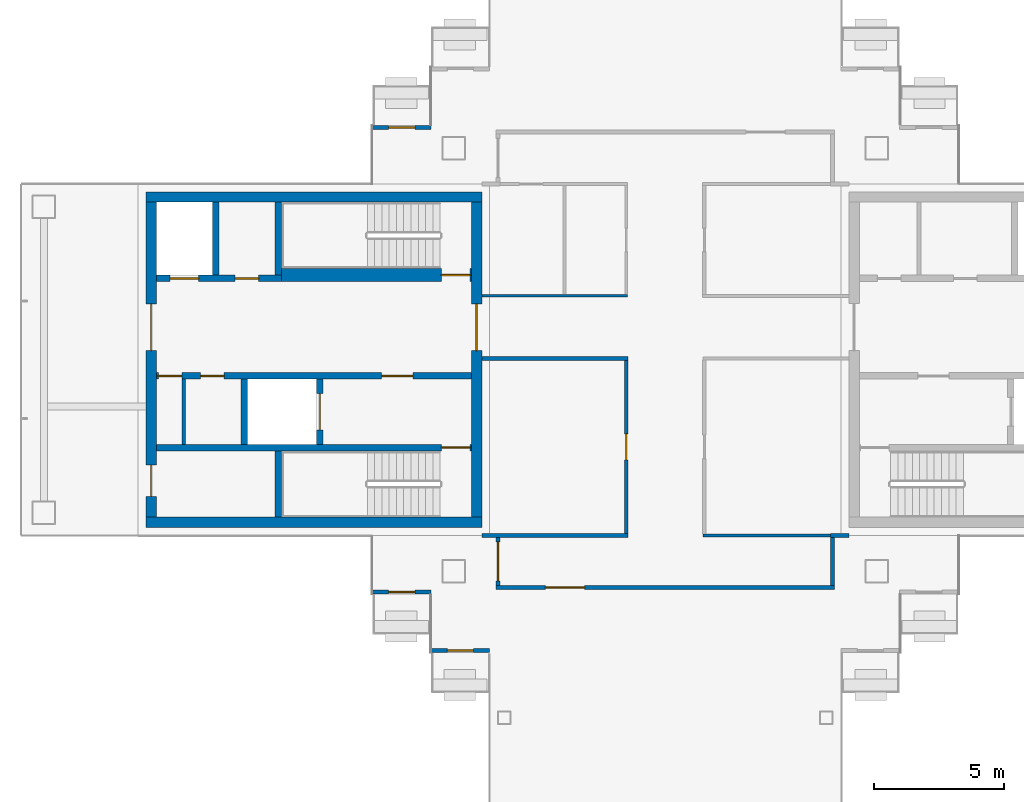
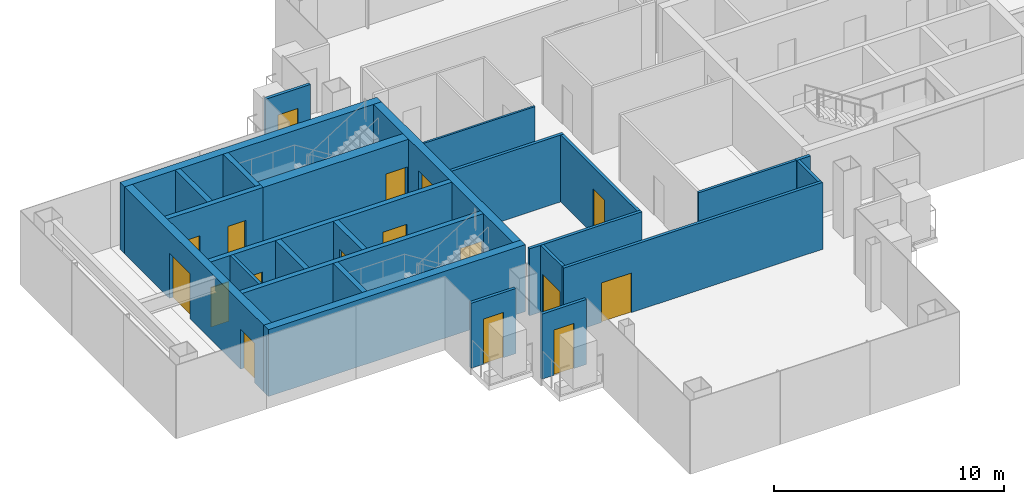
# One storey, part 9 of 17: 26 walls, 17 doors, 17 openings.
"""IFC4 building model written with IfcOpenShell, lengths in metres."""

from ifc_helpers import new_model, si_unit, direction, frame, frame_2d, origin, place, context, subcontext, project, spatial, rectangle, extrude, material, layer, layer_set, type_object, element, fill, save


model = new_model("IFC4")

# Units and contexts
model_context = context("Model", 3, precision=1e-05, world=origin(), true_north=direction((0.0, 1.0)))
body_context = subcontext(model_context, "Body", "Model", "MODEL_VIEW")
ifc_project = project(units=[si_unit("LENGTHUNIT", "METRE"), si_unit("AREAUNIT", "SQUARE_METRE"), si_unit("VOLUMEUNIT", "CUBIC_METRE"), si_unit("PLANEANGLEUNIT", "RADIAN"), si_unit("MASSUNIT", "GRAM", prefix="KILO")], contexts=[model_context])

# Site, building, storey
site_placement = place(None, origin())
site = spatial("IfcSite", under=ifc_project, at=site_placement, CompositionType="ELEMENT")
building_placement = place(site_placement, origin())
building = spatial("IfcBuilding", under=site, at=building_placement, Name="Shamsa Quay Exchange Towers", CompositionType="ELEMENT")
storey_placement = place(building_placement, frame((0.0, 0.0, 253.800048828125)))
storey = spatial("IfcBuildingStorey", under=building, at=storey_placement, Name="L61", CompositionType="ELEMENT", Elevation=253.800048828125)

# Wall, opening, door
ifc_material_1 = material(Name="Aluminium EN AW-6063 T6, black anodised, with black enamelled glass infill", Category="aluminium")
ifc_layer_1 = layer(ifc_material_1, 0.14990234375)
ifc_layer_set_1 = layer_set([ifc_layer_1], Name="BALCONY DOOR BAY WALL 150")
wall_type_1 = type_object("IfcWallType", Name="BALCONY DOOR BAY WALL 150", PredefinedType="SOLIDWALL", material=ifc_layer_set_1)
wall_1_placement = place(storey_placement, frame((-45.0, 8.925048828125, 0.0)))
wall_1 = element("IfcWall", 1, at=wall_1_placement, inside=storey, type_object=wall_type_1, Name="Door bay T1-PKWN L61", PredefinedType="SOLIDWALL", context=body_context, shape_type="SweptSolid", body=[
    extrude(rectangle(XDim=2.25, YDim=0.14990234375, at=frame_2d((1.125, 0.0))), origin(), (0.0, 0.0, 1.0), 3.449951171875),
])
opening_1_placement = place(wall_1_placement, frame((0.625, 0.0, 0.0)))
opening_1 = element("IfcOpeningElement", 2, at=opening_1_placement, cuts=wall_1, Name="Opening XD414", PredefinedType="OPENING", context=body_context, shape_type="SweptSolid", body=[
    extrude(rectangle(XDim=1.0, YDim=2.39990234375, at=frame_2d((0.5, 1.199951171875))), frame((0.0, 0.0849609375, 0.0), z_axis=(0.0, -1.0, 0.0), x_axis=(1.0, 0.0, 0.0)), (0.0, 0.0, 1.0), 0.169921875),
])
ifc_material_2 = material(Name="Aluminium EN AW-6063 T6, black anodised, with laminated glass leaf", Category="aluminium")
door_type_1 = type_object("IfcDoorType", Name="BALCONY DOOR 1000x2400", OperationType="SINGLE_SWING_LEFT", PredefinedType="DOOR", material=ifc_material_2)
door_1_placement = place(opening_1_placement, origin())
door_1 = element("IfcDoor", 3, at=door_1_placement, inside=storey, type_object=door_type_1, Name="Balcony door T1-PKWN L61", OperationType="SINGLE_SWING_RIGHT", OverallHeight=2.39990234375, OverallWidth=1.0, PredefinedType="DOOR", context=body_context, shape_type="SweptSolid", body=[
    extrude(rectangle(XDim=1.0, YDim=2.39990234375, at=frame_2d((0.5, 1.199951171875))), frame((0.0, 0.02490234375, 0.0), z_axis=(0.0, -1.0, 0.0), x_axis=(1.0, 0.0, 0.0)), (0.0, 0.0, 1.0), 0.050048828125),
])
fill(opening_1, door_1)

wall_2_placement = place(storey_placement, frame((-42.75, -8.925048828125, 0.0), z_axis=(0.0, 0.0, 1.0), x_axis=(-1.0, 0.0, 0.0)))
wall_2 = element("IfcWall", 4, at=wall_2_placement, inside=storey, type_object=wall_type_1, Name="Door bay T1-PKWS L61", PredefinedType="SOLIDWALL", context=body_context, shape_type="SweptSolid", body=[
    extrude(rectangle(XDim=2.25, YDim=0.14990234375, at=frame_2d((1.125, 0.0))), origin(), (0.0, 0.0, 1.0), 3.449951171875),
])
opening_2_placement = place(wall_2_placement, frame((0.625, 0.0, 0.0)))
opening_2 = element("IfcOpeningElement", 5, at=opening_2_placement, cuts=wall_2, Name="Opening XD415", PredefinedType="OPENING", context=body_context, shape_type="SweptSolid", body=[
    extrude(rectangle(XDim=1.0, YDim=2.39990234375, at=frame_2d((0.5, 1.199951171875))), frame((0.0, 0.0849609375, 0.0), z_axis=(0.0, -1.0, 0.0), x_axis=(1.0, 0.0, 0.0)), (0.0, 0.0, 1.0), 0.169921875),
])
door_2_placement = place(opening_2_placement, origin())
door_2 = element("IfcDoor", 6, at=door_2_placement, inside=storey, type_object=door_type_1, Name="Balcony door T1-PKWS L61", OperationType="SINGLE_SWING_LEFT", OverallHeight=2.39990234375, OverallWidth=1.0, PredefinedType="DOOR", context=body_context, shape_type="SweptSolid", body=[
    extrude(rectangle(XDim=1.0, YDim=2.39990234375, at=frame_2d((0.5, 1.199951171875))), frame((0.0, 0.02490234375, 0.0), z_axis=(0.0, -1.0, 0.0), x_axis=(1.0, 0.0, 0.0)), (0.0, 0.0, 1.0), 0.050048828125),
])
fill(opening_2, door_2)

wall_3_placement = place(storey_placement, frame((-40.5, -11.175048828125, 0.0), z_axis=(0.0, 0.0, 1.0), x_axis=(-1.0, 0.0, 0.0)))
wall_3 = element("IfcWall", 7, at=wall_3_placement, inside=storey, type_object=wall_type_1, Name="Door bay T1-PKWS L61", PredefinedType="SOLIDWALL", context=body_context, shape_type="SweptSolid", body=[
    extrude(rectangle(XDim=2.25, YDim=0.14990234375, at=frame_2d((1.125, 0.0))), origin(), (0.0, 0.0, 1.0), 3.449951171875),
])
opening_3_placement = place(wall_3_placement, frame((0.625, 0.0, 0.0)))
opening_3 = element("IfcOpeningElement", 8, at=opening_3_placement, cuts=wall_3, Name="Opening XD416", PredefinedType="OPENING", context=body_context, shape_type="SweptSolid", body=[
    extrude(rectangle(XDim=1.0, YDim=2.39990234375, at=frame_2d((0.5, 1.199951171875))), frame((0.0, 0.0849609375, 0.0), z_axis=(0.0, -1.0, 0.0), x_axis=(1.0, 0.0, 0.0)), (0.0, 0.0, 1.0), 0.169921875),
])
door_3_placement = place(opening_3_placement, origin())
door_3 = element("IfcDoor", 9, at=door_3_placement, inside=storey, type_object=door_type_1, Name="Balcony door T1-PKWS L61", OperationType="SINGLE_SWING_RIGHT", OverallHeight=2.39990234375, OverallWidth=1.0, PredefinedType="DOOR", context=body_context, shape_type="SweptSolid", body=[
    extrude(rectangle(XDim=1.0, YDim=2.39990234375, at=frame_2d((0.5, 1.199951171875))), frame((0.0, 0.02490234375, 0.0), z_axis=(0.0, -1.0, 0.0), x_axis=(1.0, 0.0, 0.0)), (0.0, 0.0, 1.0), 0.050048828125),
])
fill(opening_3, door_3)

# Walls
ifc_material_3 = material(Name="Concrete C60/75", Category="concrete")
ifc_layer_2 = layer(ifc_material_3, 0.39990234375)
ifc_layer_set_2 = layer_set([ifc_layer_2], Name="CORE WALL 400 C60/75")
wall_type_2 = type_object("IfcWallType", Name="CORE WALL 400 C60/75", PredefinedType="SHEAR", material=ifc_layer_set_2)
for number, where, z_axis, x_axis, name in (
    (10, (-40.800048828125, -6.25, 0.0), (0.0, 0.0, 1.0), (-1.0, 0.0, 0.0), "Core wall T1B-R27-PS"),
    (11, (-40.800048828125, 6.25, 0.0), (0.0, 0.0, 1.0), (-1.0, 0.0, 0.0), "Core wall T1B-R27-PN"),
):
    element("IfcWall", number, at=place(storey_placement, frame(where, z_axis=z_axis, x_axis=x_axis)), inside=storey, type_object=wall_type_2, Name=name, PredefinedType="SHEAR", context=body_context, shape_type="SweptSolid", body=[
        extrude(rectangle(XDim=12.89990234375, YDim=0.39990234375, at=frame_2d((6.449951171875, 0.0))), origin(), (0.0, 0.0, 1.0), 3.550048828125),
    ])

# Wall, opening, door
wall_4_placement = place(storey_placement, frame((-41.0, -6.050048828125, 0.0), z_axis=(0.0, 0.0, 1.0), x_axis=(0.0, 1.0, 0.0)))
wall_4 = element("IfcWall", 12, at=wall_4_placement, inside=storey, type_object=wall_type_2, Name="Core wall T1B-R27-PF", PredefinedType="SHEAR", context=body_context, shape_type="SweptSolid", body=[
    extrude(rectangle(XDim=12.10009765625, YDim=0.39990234375, at=frame_2d((6.050048828125, 0.0))), origin(), (0.0, 0.0, 1.0), 3.550048828125),
])
opening_4_placement = place(wall_4_placement, frame((6.39990234375, 0.0, 0.0)))
opening_4 = element("IfcOpeningElement", 13, at=opening_4_placement, cuts=wall_4, Name="Opening T1B-R27-LBD01", PredefinedType="OPENING", context=body_context, shape_type="SweptSolid", body=[
    extrude(rectangle(XDim=1.800048828125, YDim=2.39990234375, at=frame_2d((0.89990234375, 1.199951171875))), frame((0.0, 0.2099609375, 0.0), z_axis=(0.0, -1.0, 0.0), x_axis=(1.0, 0.0, 0.0)), (0.0, 0.0, 1.0), 0.419921875),
])
ifc_material_4 = material(Name="Steel, fire rated", Category="steel")
door_type_2 = type_object("IfcDoorType", Name="LIFT LOBBY DOOR PAIR 1800", OperationType="DOUBLE_DOOR_SINGLE_SWING", PredefinedType="DOOR", material=ifc_material_4)
door_4_placement = place(opening_4_placement, origin())
door_4 = element("IfcDoor", 14, at=door_4_placement, inside=storey, type_object=door_type_2, Name="T1B-R27-LBD01", OperationType="DOUBLE_DOOR_SINGLE_SWING", OverallHeight=2.39990234375, OverallWidth=1.800048828125, PredefinedType="DOOR", context=body_context, shape_type="SweptSolid", body=[
    extrude(rectangle(XDim=1.800048828125, YDim=2.39990234375, at=frame_2d((0.89990234375, 1.199951171875))), frame((0.0, 0.02490234375, 0.0), z_axis=(0.0, -1.0, 0.0), x_axis=(1.0, 0.0, 0.0)), (0.0, 0.0, 1.0), 0.050048828125),
])
fill(opening_4, door_4)

# Wall, openings, doors
wall_5_placement = place(storey_placement, frame((-53.5, -6.050048828125, 0.0), z_axis=(0.0, 0.0, 1.0), x_axis=(0.0, 1.0, 0.0)))
wall_5 = element("IfcWall", 15, at=wall_5_placement, inside=storey, type_object=wall_type_2, Name="Core wall T1B-R27-PB", PredefinedType="SHEAR", context=body_context, shape_type="SweptSolid", body=[
    extrude(rectangle(XDim=12.10009765625, YDim=0.39990234375, at=frame_2d((6.050048828125, 0.0))), origin(), (0.0, 0.0, 1.0), 3.550048828125),
])
opening_5_placement = place(wall_5_placement, frame((0.800048828125, 0.0, 0.0)))
opening_5 = element("IfcOpeningElement", 16, at=opening_5_placement, cuts=wall_5, Name="Opening T1B-R27-RD02", PredefinedType="OPENING", context=body_context, shape_type="SweptSolid", body=[
    extrude(rectangle(XDim=1.199951171875, YDim=2.10009765625, at=frame_2d((0.60009765625, 1.050048828125))), frame((0.0, 0.2099609375, 0.0), z_axis=(0.0, -1.0, 0.0), x_axis=(1.0, 0.0, 0.0)), (0.0, 0.0, 1.0), 0.419921875),
])
opening_6_placement = place(wall_5_placement, frame((6.39990234375, 0.0, 0.0)))
opening_6 = element("IfcOpeningElement", 17, at=opening_6_placement, cuts=wall_5, Name="Opening T1B-R27-LBD03", PredefinedType="OPENING", context=body_context, shape_type="SweptSolid", body=[
    extrude(rectangle(XDim=1.800048828125, YDim=2.39990234375, at=frame_2d((0.89990234375, 1.199951171875))), frame((0.0, 0.2099609375, 0.0), z_axis=(0.0, -1.0, 0.0), x_axis=(1.0, 0.0, 0.0)), (0.0, 0.0, 1.0), 0.419921875),
])
door_5_placement = place(opening_6_placement, origin())
door_5 = element("IfcDoor", 18, at=door_5_placement, inside=storey, type_object=door_type_2, Name="T1B-R27-LBD03", OperationType="DOUBLE_DOOR_SINGLE_SWING", OverallHeight=2.39990234375, OverallWidth=1.800048828125, PredefinedType="DOOR", context=body_context, shape_type="SweptSolid", body=[
    extrude(rectangle(XDim=1.800048828125, YDim=2.39990234375, at=frame_2d((0.89990234375, 1.199951171875))), frame((0.0, 0.02490234375, 0.0), z_axis=(0.0, -1.0, 0.0), x_axis=(1.0, 0.0, 0.0)), (0.0, 0.0, 1.0), 0.050048828125),
])
fill(opening_6, door_5)
door_type_3 = type_object("IfcDoorType", Name="RISER ACCESS DOOR 1200", OperationType="SINGLE_SWING_LEFT", PredefinedType="DOOR", material=ifc_material_4)
door_6_placement = place(opening_5_placement, origin())
door_6 = element("IfcDoor", 19, at=door_6_placement, inside=storey, type_object=door_type_3, Name="T1B-R27-RD02", OperationType="SINGLE_SWING_LEFT", OverallHeight=2.10009765625, OverallWidth=1.199951171875, PredefinedType="DOOR", context=body_context, shape_type="SweptSolid", body=[
    extrude(rectangle(XDim=1.199951171875, YDim=2.10009765625, at=frame_2d((0.60009765625, 1.050048828125))), frame((0.0, 0.02490234375, 0.0), z_axis=(0.0, -1.0, 0.0), x_axis=(1.0, 0.0, 0.0)), (0.0, 0.0, 1.0), 0.050048828125),
])
fill(opening_5, door_6)

# Walls
ifc_material_5 = material(Name="Gypsum board on steel studs, EI 60", Category="steel")
ifc_layer_3 = layer(ifc_material_5, 0.14990234375)
ifc_layer_set_3 = layer_set([ifc_layer_3], Name="FIRE PARTITION 150")
wall_type_3 = type_object("IfcWallType", Name="FIRE PARTITION 150", PredefinedType="PARTITIONING", material=ifc_layer_set_3)
wall_6_placement = place(storey_placement, frame((-52.25, -3.25, 0.0), z_axis=(0.0, 0.0, 1.0), x_axis=(0.0, 1.0, 0.0)))
element("IfcWall", 20, at=wall_6_placement, inside=storey, type_object=wall_type_3, Name="Partition T1B-R27-EC0", PredefinedType="PARTITIONING", context=body_context, shape_type="SweptSolid", body=[
    extrude(rectangle(XDim=2.5, YDim=0.14990234375, at=frame_2d((1.25, 0.0))), origin(), (0.0, 0.0, 1.0), 3.550048828125),
])
ifc_material_6 = material(Name="Laminated fire-resisting glass in a metal frame", Category="glass")
ifc_layer_4 = layer(ifc_material_6, 0.125)
ifc_layer_set_4 = layer_set([ifc_layer_4], Name="Glazed partition 125 mm EI 60")
wall_type_4 = type_object("IfcWallType", Name="Glazed partition 125 mm EI 60", PredefinedType="PARTITIONING", material=ifc_layer_set_4)
wall_7_placement = place(storey_placement, frame((-32.3125, -6.75, 0.0)))
element("IfcWall", 21, at=wall_7_placement, inside=storey, type_object=wall_type_4, Name="Partition T1-R27-W06", PredefinedType="PARTITIONING", context=body_context, shape_type="SweptSolid", body=[
    extrude(rectangle(XDim=5.062255859375, YDim=0.125, at=frame_2d((2.53125, 0.0))), origin(), (0.0, 0.0, 1.0), 3.550048828125),
])
ifc_material_7 = material(Name="Gypsum board partition on metal studs")
ifc_layer_5 = layer(ifc_material_7, 0.10009765625)
ifc_layer_set_5 = layer_set([ifc_layer_5], Name="Partition 100 mm NOT RATED")
wall_type_5 = type_object("IfcWallType", Name="Partition 100 mm NOT RATED", PredefinedType="PARTITIONING", material=ifc_layer_set_5)
wall_8_placement = place(storey_placement, frame((-40.800048828125, 2.4501953125, 0.0)))
element("IfcWall", 22, at=wall_8_placement, inside=storey, type_object=wall_type_5, Name="Partition T1-R27-W07", PredefinedType="PARTITIONING", context=body_context, shape_type="SweptSolid", body=[
    extrude(rectangle(XDim=5.60009765625, YDim=0.10009765625, at=frame_2d((2.800048828125, 0.0))), origin(), (0.0, 0.0, 1.0), 3.550048828125),
])
ifc_layer_6 = layer(ifc_material_7, 0.14990234375)
ifc_layer_set_6 = layer_set([ifc_layer_6], Name="Partition 150 mm EI 60")
wall_type_6 = type_object("IfcWallType", Name="Partition 150 mm EI 60", PredefinedType="PARTITIONING", material=ifc_layer_set_6)
wall_9_placement = place(storey_placement, frame((-40.800048828125, -6.75, 0.0)))
element("IfcWall", 23, at=wall_9_placement, inside=storey, type_object=wall_type_6, Name="Partition T1-R27-W10", PredefinedType="PARTITIONING", context=body_context, shape_type="SweptSolid", body=[
    extrude(rectangle(XDim=5.625, YDim=0.14990234375, at=frame_2d((2.8125, 0.0))), origin(), (0.0, 0.0, 1.0), 3.550048828125),
])
wall_10_placement = place(storey_placement, frame((-27.400146484375, -6.75, 0.0)))
element("IfcWall", 24, at=wall_10_placement, inside=storey, type_object=wall_type_6, Name="Partition T1-R27-W11", PredefinedType="PARTITIONING", context=body_context, shape_type="SweptSolid", body=[
    extrude(rectangle(XDim=0.7001953125, YDim=0.14990234375, at=frame_2d((0.35009765625, 0.0))), origin(), (0.0, 0.0, 1.0), 3.550048828125),
])

# Wall, opening, door
wall_11_placement = place(storey_placement, frame((-35.25, -6.675048828125, 0.0), z_axis=(0.0, 0.0, 1.0), x_axis=(0.0, 1.0, 0.0)))
wall_11 = element("IfcWall", 25, at=wall_11_placement, inside=storey, type_object=wall_type_6, Name="Partition T1-R27-W12", PredefinedType="PARTITIONING", context=body_context, shape_type="SweptSolid", body=[
    extrude(rectangle(XDim=6.64990234375, YDim=0.14990234375, at=frame_2d((3.324951171875, 0.0))), origin(), (0.0, 0.0, 1.0), 3.550048828125),
])
opening_7_placement = place(wall_11_placement, frame((2.824951171875, 0.0, 0.0)))
opening_7 = element("IfcOpeningElement", 26, at=opening_7_placement, cuts=wall_11, Name="Opening T1-R27-D04", PredefinedType="OPENING", context=body_context, shape_type="SweptSolid", body=[
    extrude(rectangle(XDim=1.0, YDim=2.39990234375, at=frame_2d((0.5, 1.199951171875))), frame((0.0, 0.0849609375, 0.0), z_axis=(0.0, -1.0, 0.0), x_axis=(1.0, 0.0, 0.0)), (0.0, 0.0, 1.0), 0.169921875),
])
ifc_material_8 = material(Name="Timber door leaf in a metal frame", Category="wood")
door_type_4 = type_object("IfcDoorType", Name="Door 1000x2400 FD30S", OperationType="NOTDEFINED", PredefinedType="DOOR", material=ifc_material_8)
door_7_placement = place(opening_7_placement, origin())
door_7 = element("IfcDoor", 27, at=door_7_placement, inside=storey, type_object=door_type_4, Name="Door T1-R27-D04", OperationType="SINGLE_SWING_LEFT", OverallHeight=2.39990234375, OverallWidth=1.0, PredefinedType="DOOR", context=body_context, shape_type="SweptSolid", body=[
    extrude(rectangle(XDim=1.0, YDim=2.39990234375, at=frame_2d((0.5, 1.199951171875))), frame((0.0, 0.02490234375, 0.0), z_axis=(0.0, -1.0, 0.0), x_axis=(1.0, 0.0, 0.0)), (0.0, 0.0, 1.0), 0.050048828125),
])
fill(opening_7, door_7)

# Wall
wall_12_placement = place(storey_placement, frame((-35.175048828125, 0.0498046875, 0.0), z_axis=(0.0, 0.0, 1.0), x_axis=(-1.0, 0.0, 0.0)))
element("IfcWall", 28, at=wall_12_placement, inside=storey, type_object=wall_type_6, Name="Partition T1-R27-W13", PredefinedType="PARTITIONING", context=body_context, shape_type="SweptSolid", body=[
    extrude(rectangle(XDim=5.625, YDim=0.14990234375, at=frame_2d((2.8125, 0.0))), origin(), (0.0, 0.0, 1.0), 3.550048828125),
])

# Wall, opening, door
wall_13_placement = place(storey_placement, frame((-40.1748046875, -6.824951171875, 0.0), z_axis=(0.0, 0.0, 1.0), x_axis=(0.0, -1.0, 0.0)))
wall_13 = element("IfcWall", 29, at=wall_13_placement, inside=storey, type_object=wall_type_6, Name="Partition T1-R27-W15", PredefinedType="PARTITIONING", context=body_context, shape_type="SweptSolid", body=[
    extrude(rectangle(XDim=1.85009765625, YDim=0.14990234375, at=frame_2d((0.925048828125, 0.0))), origin(), (0.0, 0.0, 1.0), 3.550048828125),
])
opening_8_placement = place(wall_13_placement, frame((0.175048828125, 0.0, 0.0)))
opening_8 = element("IfcOpeningElement", 30, at=opening_8_placement, cuts=wall_13, Name="Opening T1-R27-D02", PredefinedType="OPENING", context=body_context, shape_type="SweptSolid", body=[
    extrude(rectangle(XDim=1.5, YDim=2.10009765625, at=frame_2d((0.75, 1.050048828125))), frame((0.0, 0.0849609375, 0.0), z_axis=(0.0, -1.0, 0.0), x_axis=(1.0, 0.0, 0.0)), (0.0, 0.0, 1.0), 0.169921875),
])
door_type_5 = type_object("IfcDoorType", Name="Door 1500x2100 FD30S pair", OperationType="NOTDEFINED", PredefinedType="DOOR", material=ifc_material_8)
door_8_placement = place(opening_8_placement, origin())
door_8 = element("IfcDoor", 31, at=door_8_placement, inside=storey, type_object=door_type_5, Name="Door T1-R27-D02", OperationType="DOUBLE_DOOR_SINGLE_SWING", OverallHeight=2.10009765625, OverallWidth=1.5, PredefinedType="DOOR", context=body_context, shape_type="SweptSolid", body=[
    extrude(rectangle(XDim=1.5, YDim=2.10009765625, at=frame_2d((0.75, 1.050048828125))), frame((0.0, 0.02490234375, 0.0), z_axis=(0.0, -1.0, 0.0), x_axis=(1.0, 0.0, 0.0)), (0.0, 0.0, 1.0), 0.050048828125),
])
fill(opening_8, door_8)

# Wall
wall_14_placement = place(storey_placement, frame((-27.3251953125, -8.675048828125, 0.0), z_axis=(0.0, 0.0, 1.0), x_axis=(0.0, 1.0, 0.0)))
element("IfcWall", 32, at=wall_14_placement, inside=storey, type_object=wall_type_6, Name="Partition T1-R27-W17", PredefinedType="PARTITIONING", context=body_context, shape_type="SweptSolid", body=[
    extrude(rectangle(XDim=1.85009765625, YDim=0.14990234375, at=frame_2d((0.925048828125, 0.0))), origin(), (0.0, 0.0, 1.0), 3.550048828125),
])

# Wall, opening, door
wall_15_placement = place(storey_placement, frame((-40.249755859375, -8.75, 0.0)))
wall_15 = element("IfcWall", 33, at=wall_15_placement, inside=storey, type_object=wall_type_6, Name="Partition T1-R27-W19", PredefinedType="PARTITIONING", context=body_context, shape_type="SweptSolid", body=[
    extrude(rectangle(XDim=12.99951171875, YDim=0.14990234375, at=frame_2d((6.499755859375, 0.0))), origin(), (0.0, 0.0, 1.0), 3.550048828125),
])
opening_9_placement = place(wall_15_placement, frame((1.89501953125, 0.0, 0.0)))
opening_9 = element("IfcOpeningElement", 34, at=opening_9_placement, cuts=wall_15, Name="Opening T1-R27-D01", PredefinedType="OPENING", context=body_context, shape_type="SweptSolid", body=[
    extrude(rectangle(XDim=1.5, YDim=2.10009765625, at=frame_2d((0.75, 1.050048828125))), frame((0.0, 0.0849609375, 0.0), z_axis=(0.0, -1.0, 0.0), x_axis=(1.0, 0.0, 0.0)), (0.0, 0.0, 1.0), 0.169921875),
])
door_9_placement = place(opening_9_placement, origin())
door_9 = element("IfcDoor", 35, at=door_9_placement, inside=storey, type_object=door_type_5, Name="Door T1-R27-D01", OperationType="DOUBLE_DOOR_SINGLE_SWING", OverallHeight=2.10009765625, OverallWidth=1.5, PredefinedType="DOOR", context=body_context, shape_type="SweptSolid", body=[
    extrude(rectangle(XDim=1.5, YDim=2.10009765625, at=frame_2d((0.75, 1.050048828125))), frame((0.0, 0.02490234375, 0.0), z_axis=(0.0, -1.0, 0.0), x_axis=(1.0, 0.0, 0.0)), (0.0, 0.0, 1.0), 0.050048828125),
])
fill(opening_9, door_9)

ifc_material_9 = material(Name="Concrete C50/60", Category="concrete")
ifc_layer_7 = layer(ifc_material_9, 0.25)
ifc_layer_set_7 = layer_set([ifc_layer_7], Name="SHAFT WALL 250 C50/60")
wall_type_7 = type_object("IfcWallType", Name="SHAFT WALL 250 C50/60", PredefinedType="SHEAR", material=ifc_layer_set_7)
wall_16_placement = place(storey_placement, frame((-41.199951171875, -3.375, 0.0), z_axis=(0.0, 0.0, 1.0), x_axis=(-1.0, 0.0, 0.0)))
wall_16 = element("IfcWall", 36, at=wall_16_placement, inside=storey, type_object=wall_type_7, Name="Shaft wall T1B-R27-STL", PredefinedType="SHEAR", context=body_context, shape_type="SweptSolid", body=[
    extrude(rectangle(XDim=12.10009765625, YDim=0.25, at=frame_2d((6.050048828125, 0.0))), origin(), (0.0, 0.0, 1.0), 3.550048828125),
])
opening_10_placement = place(wall_16_placement, frame((0.050048828125, 0.0, 0.0)))
opening_10 = element("IfcOpeningElement", 37, at=opening_10_placement, cuts=wall_16, Name="Opening T1B-R27-SD04", PredefinedType="OPENING", context=body_context, shape_type="SweptSolid", body=[
    extrude(rectangle(XDim=1.10009765625, YDim=2.10009765625, at=frame_2d((0.550048828125, 1.050048828125))), frame((0.0, 0.135009765625, 0.0), z_axis=(0.0, -1.0, 0.0), x_axis=(1.0, 0.0, 0.0)), (0.0, 0.0, 1.0), 0.27001953125),
])
door_type_6 = type_object("IfcDoorType", Name="STAIR DOOR 1100", OperationType="SINGLE_SWING_LEFT", PredefinedType="DOOR", material=ifc_material_4)
door_10_placement = place(opening_10_placement, origin())
door_10 = element("IfcDoor", 38, at=door_10_placement, inside=storey, type_object=door_type_6, Name="T1B-R27-SD04", OperationType="SINGLE_SWING_LEFT", OverallHeight=2.10009765625, OverallWidth=1.10009765625, PredefinedType="DOOR", context=body_context, shape_type="SweptSolid", body=[
    extrude(rectangle(XDim=1.10009765625, YDim=2.10009765625, at=frame_2d((0.550048828125, 1.050048828125))), frame((0.0, 0.02490234375, 0.0), z_axis=(0.0, -1.0, 0.0), x_axis=(1.0, 0.0, 0.0)), (0.0, 0.0, 1.0), 0.050048828125),
])
fill(opening_10, door_10)

# Wall
wall_17_placement = place(storey_placement, frame((-48.625, -6.050048828125, 0.0), z_axis=(0.0, 0.0, 1.0), x_axis=(0.0, 1.0, 0.0)))
element("IfcWall", 39, at=wall_17_placement, inside=storey, type_object=wall_type_7, Name="Shaft wall T1B-R27-STF", PredefinedType="SHEAR", context=body_context, shape_type="SweptSolid", body=[
    extrude(rectangle(XDim=2.550048828125, YDim=0.25, at=frame_2d((1.27490234375, 0.0))), origin(), (0.0, 0.0, 1.0), 3.550048828125),
])

# Wall, openings, doors
wall_18_placement = place(storey_placement, frame((-41.199951171875, -0.625, 0.0), z_axis=(0.0, 0.0, 1.0), x_axis=(-1.0, 0.0, 0.0)))
wall_18 = element("IfcWall", 40, at=wall_18_placement, inside=storey, type_object=wall_type_7, Name="Shaft wall T1B-R27-B", PredefinedType="SHEAR", context=body_context, shape_type="SweptSolid", body=[
    extrude(rectangle(XDim=12.10009765625, YDim=0.25, at=frame_2d((6.050048828125, 0.0))), origin(), (0.0, 0.0, 1.0), 3.550048828125),
])
opening_11_placement = place(wall_18_placement, frame((2.25, 0.0, 0.0)))
opening_11 = element("IfcOpeningElement", 41, at=opening_11_placement, cuts=wall_18, Name="Opening T1B-R27-FD05", PredefinedType="OPENING", context=body_context, shape_type="SweptSolid", body=[
    extrude(rectangle(XDim=1.199951171875, YDim=2.10009765625, at=frame_2d((0.60009765625, 1.050048828125))), frame((0.0, 0.135009765625, 0.0), z_axis=(0.0, -1.0, 0.0), x_axis=(1.0, 0.0, 0.0)), (0.0, 0.0, 1.0), 0.27001953125),
])
opening_12_placement = place(wall_18_placement, frame((9.5, 0.0, 0.0)))
opening_12 = element("IfcOpeningElement", 42, at=opening_12_placement, cuts=wall_18, Name="Opening T1B-R27-SV06", PredefinedType="OPENING", context=body_context, shape_type="SweptSolid", body=[
    extrude(rectangle(XDim=0.89990234375, YDim=2.10009765625, at=frame_2d((0.449951171875, 1.050048828125))), frame((0.0, 0.135009765625, 0.0), z_axis=(0.0, -1.0, 0.0), x_axis=(1.0, 0.0, 0.0)), (0.0, 0.0, 1.0), 0.27001953125),
])
opening_13_placement = place(wall_18_placement, frame((11.125, 0.0, 0.0)))
opening_13 = element("IfcOpeningElement", 43, at=opening_13_placement, cuts=wall_18, Name="Opening T1B-R27-SV07", PredefinedType="OPENING", context=body_context, shape_type="SweptSolid", body=[
    extrude(rectangle(XDim=0.89990234375, YDim=2.10009765625, at=frame_2d((0.449951171875, 1.050048828125))), frame((0.0, 0.135009765625, 0.0), z_axis=(0.0, -1.0, 0.0), x_axis=(1.0, 0.0, 0.0)), (0.0, 0.0, 1.0), 0.27001953125),
])
door_type_7 = type_object("IfcDoorType", Name="FIRE SERVICE LOBBY DOOR 1200", OperationType="SINGLE_SWING_LEFT", PredefinedType="DOOR", material=ifc_material_4)
door_11_placement = place(opening_11_placement, origin())
door_11 = element("IfcDoor", 44, at=door_11_placement, inside=storey, type_object=door_type_7, Name="T1B-R27-FD05", OperationType="SINGLE_SWING_LEFT", OverallHeight=2.10009765625, OverallWidth=1.199951171875, PredefinedType="DOOR", context=body_context, shape_type="SweptSolid", body=[
    extrude(rectangle(XDim=1.199951171875, YDim=2.10009765625, at=frame_2d((0.60009765625, 1.050048828125))), frame((0.0, 0.02490234375, 0.0), z_axis=(0.0, -1.0, 0.0), x_axis=(1.0, 0.0, 0.0)), (0.0, 0.0, 1.0), 0.050048828125),
])
fill(opening_11, door_11)
door_type_8 = type_object("IfcDoorType", Name="SERVICE ROOM DOOR 900", OperationType="SINGLE_SWING_LEFT", PredefinedType="DOOR", material=ifc_material_4)
door_12_placement = place(opening_12_placement, origin())
door_12 = element("IfcDoor", 45, at=door_12_placement, inside=storey, type_object=door_type_8, Name="T1B-R27-SV06", OperationType="SINGLE_SWING_RIGHT", OverallHeight=2.10009765625, OverallWidth=0.89990234375, PredefinedType="DOOR", context=body_context, shape_type="SweptSolid", body=[
    extrude(rectangle(XDim=0.89990234375, YDim=2.10009765625, at=frame_2d((0.449951171875, 1.050048828125))), frame((0.0, 0.02490234375, 0.0), z_axis=(0.0, -1.0, 0.0), x_axis=(1.0, 0.0, 0.0)), (0.0, 0.0, 1.0), 0.050048828125),
])
fill(opening_12, door_12)
door_13_placement = place(opening_13_placement, origin())
door_13 = element("IfcDoor", 46, at=door_13_placement, inside=storey, type_object=door_type_8, Name="T1B-R27-SV07", OperationType="SINGLE_SWING_RIGHT", OverallHeight=2.10009765625, OverallWidth=0.89990234375, PredefinedType="DOOR", context=body_context, shape_type="SweptSolid", body=[
    extrude(rectangle(XDim=0.89990234375, YDim=2.10009765625, at=frame_2d((0.449951171875, 1.050048828125))), frame((0.0, 0.02490234375, 0.0), z_axis=(0.0, -1.0, 0.0), x_axis=(1.0, 0.0, 0.0)), (0.0, 0.0, 1.0), 0.050048828125),
])
fill(opening_13, door_13)

# Wall, opening, door
wall_19_placement = place(storey_placement, frame((-47.02490234375, -3.25, 0.0), z_axis=(0.0, 0.0, 1.0), x_axis=(0.0, 1.0, 0.0)))
wall_19 = element("IfcWall", 47, at=wall_19_placement, inside=storey, type_object=wall_type_7, Name="Shaft wall T1B-R27-FFF", PredefinedType="SHEAR", context=body_context, shape_type="SweptSolid", body=[
    extrude(rectangle(XDim=2.5, YDim=0.25, at=frame_2d((1.25, 0.0))), origin(), (0.0, 0.0, 1.0), 3.550048828125),
])
opening_14_placement = place(wall_19_placement, frame((0.550048828125, 0.0, 0.0)))
opening_14 = element("IfcOpeningElement", 48, at=opening_14_placement, cuts=wall_19, Name="Opening T1B-R27-LDG08", PredefinedType="OPENING", context=body_context, shape_type="SweptSolid", body=[
    extrude(rectangle(XDim=1.39990234375, YDim=2.39990234375, at=frame_2d((0.699951171875, 1.199951171875))), frame((0.0, 0.135009765625, 0.0), z_axis=(0.0, -1.0, 0.0), x_axis=(1.0, 0.0, 0.0)), (0.0, 0.0, 1.0), 0.27001953125),
])
door_type_9 = type_object("IfcDoorType", Name="GOODS LIFT LANDING DOOR 1400", OperationType="SLIDING_TO_LEFT", PredefinedType="DOOR", material=ifc_material_4)
door_14_placement = place(opening_14_placement, origin())
door_14 = element("IfcDoor", 49, at=door_14_placement, inside=storey, type_object=door_type_9, Name="T1B-R27-LDG08", OperationType="SLIDING_TO_LEFT", OverallHeight=2.39990234375, OverallWidth=1.39990234375, PredefinedType="DOOR", context=body_context, shape_type="SweptSolid", body=[
    extrude(rectangle(XDim=1.39990234375, YDim=2.39990234375, at=frame_2d((0.699951171875, 1.199951171875))), frame((0.0, 0.02490234375, 0.0), z_axis=(0.0, -1.0, 0.0), x_axis=(1.0, 0.0, 0.0)), (0.0, 0.0, 1.0), 0.050048828125),
])
fill(opening_14, door_14)

# Wall
wall_20_placement = place(storey_placement, frame((-49.925048828125, -3.25, 0.0), z_axis=(0.0, 0.0, 1.0), x_axis=(0.0, 1.0, 0.0)))
element("IfcWall", 50, at=wall_20_placement, inside=storey, type_object=wall_type_7, Name="Shaft wall T1B-R27-FFB", PredefinedType="SHEAR", context=body_context, shape_type="SweptSolid", body=[
    extrude(rectangle(XDim=2.5, YDim=0.25, at=frame_2d((1.25, 0.0))), origin(), (0.0, 0.0, 1.0), 3.550048828125),
])

# Wall, openings, doors
wall_21_placement = place(storey_placement, frame((-53.300048828125, 3.125, 0.0)))
wall_21 = element("IfcWall", 51, at=wall_21_placement, inside=storey, type_object=wall_type_7, Name="Shaft wall T1B-R27-N2", PredefinedType="SHEAR", context=body_context, shape_type="SweptSolid", body=[
    extrude(rectangle(XDim=4.800048828125, YDim=0.25, at=frame_2d((2.39990234375, 0.0))), origin(), (0.0, 0.0, 1.0), 3.550048828125),
])
opening_15_placement = place(wall_21_placement, frame((0.52490234375, 0.0, 0.0)))
opening_15 = element("IfcOpeningElement", 52, at=opening_15_placement, cuts=wall_21, Name="Opening T1B-R27-LD10", PredefinedType="OPENING", context=body_context, shape_type="SweptSolid", body=[
    extrude(rectangle(XDim=1.10009765625, YDim=2.10009765625, at=frame_2d((0.550048828125, 1.050048828125))), frame((0.0, 0.135009765625, 0.0), z_axis=(0.0, -1.0, 0.0), x_axis=(1.0, 0.0, 0.0)), (0.0, 0.0, 1.0), 0.27001953125),
])
opening_16_placement = place(wall_21_placement, frame((3.02490234375, 0.0, 0.0)))
opening_16 = element("IfcOpeningElement", 53, at=opening_16_placement, cuts=wall_21, Name="Opening T1B-R27-SV11", PredefinedType="OPENING", context=body_context, shape_type="SweptSolid", body=[
    extrude(rectangle(XDim=0.89990234375, YDim=2.10009765625, at=frame_2d((0.449951171875, 1.050048828125))), frame((0.0, 0.135009765625, 0.0), z_axis=(0.0, -1.0, 0.0), x_axis=(1.0, 0.0, 0.0)), (0.0, 0.0, 1.0), 0.27001953125),
])
door_type_10 = type_object("IfcDoorType", Name="LANDING DOOR 1100", OperationType="SLIDING_TO_LEFT", PredefinedType="DOOR", material=ifc_material_4)
door_15_placement = place(opening_15_placement, origin())
door_15 = element("IfcDoor", 54, at=door_15_placement, inside=storey, type_object=door_type_10, Name="T1B-R27-LD10", OperationType="SLIDING_TO_LEFT", OverallHeight=2.10009765625, OverallWidth=1.10009765625, PredefinedType="DOOR", context=body_context, shape_type="SweptSolid", body=[
    extrude(rectangle(XDim=1.10009765625, YDim=2.10009765625, at=frame_2d((0.550048828125, 1.050048828125))), frame((0.0, 0.02490234375, 0.0), z_axis=(0.0, -1.0, 0.0), x_axis=(1.0, 0.0, 0.0)), (0.0, 0.0, 1.0), 0.050048828125),
])
fill(opening_15, door_15)
door_16_placement = place(opening_16_placement, origin())
door_16 = element("IfcDoor", 55, at=door_16_placement, inside=storey, type_object=door_type_8, Name="T1B-R27-SV11", OperationType="SINGLE_SWING_RIGHT", OverallHeight=2.10009765625, OverallWidth=0.89990234375, PredefinedType="DOOR", context=body_context, shape_type="SweptSolid", body=[
    extrude(rectangle(XDim=0.89990234375, YDim=2.10009765625, at=frame_2d((0.449951171875, 1.050048828125))), frame((0.0, 0.02490234375, 0.0), z_axis=(0.0, -1.0, 0.0), x_axis=(1.0, 0.0, 0.0)), (0.0, 0.0, 1.0), 0.050048828125),
])
fill(opening_16, door_16)

# Walls
for number, where, z_axis, x_axis, name in (
    (56, (-48.625, 3.25, 0.0), (0.0, 0.0, 1.0), (0.0, 1.0, 0.0), "Shaft wall T1B-R27-STF2"),
    (57, (-51.02490234375, 3.25, 0.0), (0.0, 0.0, 1.0), (0.0, 1.0, 0.0), "Shaft wall T1B-R27-D0"),
):
    element("IfcWall", number, at=place(storey_placement, frame(where, z_axis=z_axis, x_axis=x_axis)), inside=storey, type_object=wall_type_7, Name=name, PredefinedType="SHEAR", context=body_context, shape_type="SweptSolid", body=[
        extrude(rectangle(XDim=2.800048828125, YDim=0.25, at=frame_2d((1.39990234375, 0.0))), origin(), (0.0, 0.0, 1.0), 3.550048828125),
    ])

# Wall, opening, door
ifc_layer_8 = layer(ifc_material_9, 0.5)
ifc_layer_set_8 = layer_set([ifc_layer_8], Name="SHAFT WALL 500 C50/60")
wall_type_8 = type_object("IfcWallType", Name="SHAFT WALL 500 C50/60", PredefinedType="SHEAR", material=ifc_layer_set_8)
wall_22_placement = place(storey_placement, frame((-48.5, 3.25, 0.0)))
wall_22 = element("IfcWall", 58, at=wall_22_placement, inside=storey, type_object=wall_type_8, Name="Shaft wall T1B-R27-N", PredefinedType="SHEAR", context=body_context, shape_type="SweptSolid", body=[
    extrude(rectangle(XDim=7.300048828125, YDim=0.5, at=frame_2d((3.64990234375, 0.0))), origin(), (0.0, 0.0, 1.0), 3.550048828125),
])
opening_17_placement = place(wall_22_placement, frame((6.14990234375, 0.0, 0.0)))
opening_17 = element("IfcOpeningElement", 59, at=opening_17_placement, cuts=wall_22, Name="Opening T1B-R27-SD09", PredefinedType="OPENING", context=body_context, shape_type="SweptSolid", body=[
    extrude(rectangle(XDim=1.10009765625, YDim=2.10009765625, at=frame_2d((0.550048828125, 1.050048828125))), frame((0.0, 0.260009765625, 0.0), z_axis=(0.0, -1.0, 0.0), x_axis=(1.0, 0.0, 0.0)), (0.0, 0.0, 1.0), 0.52001953125),
])
door_17_placement = place(opening_17_placement, origin())
door_17 = element("IfcDoor", 60, at=door_17_placement, inside=storey, type_object=door_type_6, Name="T1B-R27-SD09", OperationType="SINGLE_SWING_RIGHT", OverallHeight=2.10009765625, OverallWidth=1.10009765625, PredefinedType="DOOR", context=body_context, shape_type="SweptSolid", body=[
    extrude(rectangle(XDim=1.10009765625, YDim=2.10009765625, at=frame_2d((0.550048828125, 1.050048828125))), frame((0.0, 0.02490234375, 0.0), z_axis=(0.0, -1.0, 0.0), x_axis=(1.0, 0.0, 0.0)), (0.0, 0.0, 1.0), 0.050048828125),
])
fill(opening_17, door_17)

save(model, "model.ifc")
